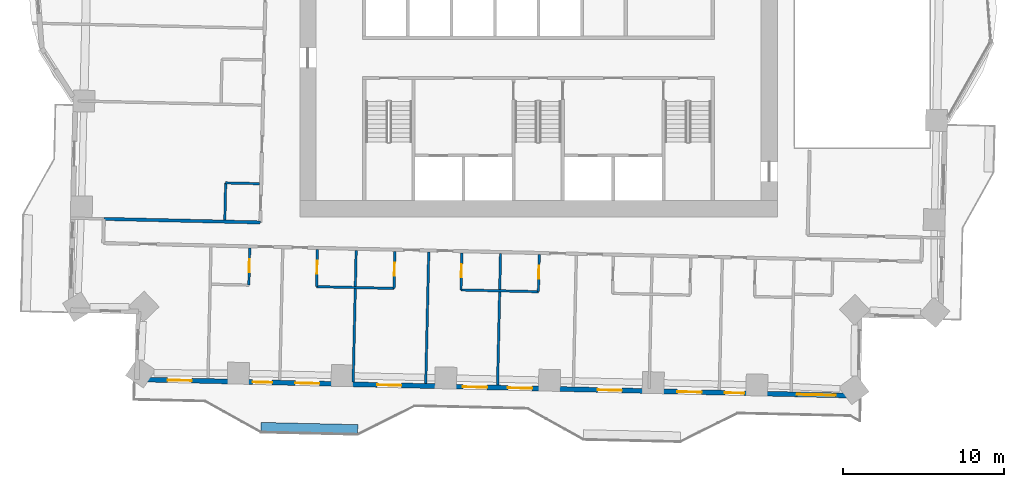
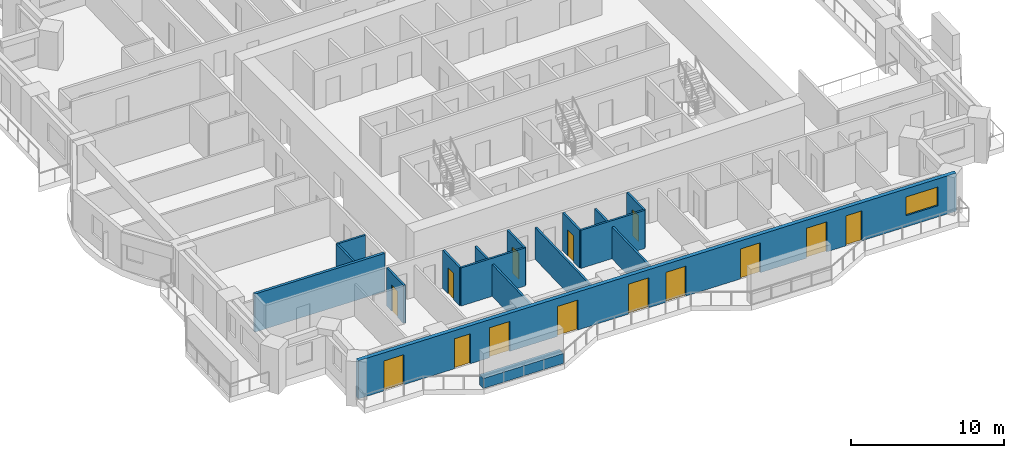
# One storey, part 6 of 16: 15 walls, 14 doors, 1 window, 15 openings.
"""IFC4 building model written with IfcOpenShell, lengths in metres."""

from ifc_helpers import new_model, si_unit, direction, frame, frame_2d, origin, place, context, subcontext, project, spatial, rectangle, extrude, material, layer, layer_set, type_object, element, fill, save


model = new_model("IFC4")

# Units and contexts
model_context = context("Model", 3, precision=1e-05, world=origin(), true_north=direction((0.0, 1.0)))
body_context = subcontext(model_context, "Body", "Model", "MODEL_VIEW")
ifc_project = project(units=[si_unit("LENGTHUNIT", "METRE"), si_unit("AREAUNIT", "SQUARE_METRE"), si_unit("VOLUMEUNIT", "CUBIC_METRE"), si_unit("PLANEANGLEUNIT", "RADIAN"), si_unit("MASSUNIT", "GRAM", prefix="KILO")], contexts=[model_context])

# Site, building, storey
site_placement = place(None, origin())
site = spatial("IfcSite", under=ifc_project, at=site_placement, CompositionType="ELEMENT")
building_placement = place(site_placement, origin())
building = spatial("IfcBuilding", under=site, at=building_placement, Name="Mangrove Gate Tower", CompositionType="ELEMENT")
storey_placement = place(building_placement, frame((0.0, 0.0, 112.699951171875)))
storey = spatial("IfcBuildingStorey", under=building, at=storey_placement, Name="L28", CompositionType="ELEMENT", Elevation=112.699951171875)

# Wall
ifc_material_1 = material(Name="Gypsum board on steel stud, EI 60", Category="steel")
ifc_layer_1 = layer(ifc_material_1, 0.199951171875)
ifc_layer_set_1 = layer_set([ifc_layer_1], Name="Corridor wall EI 60")
wall_type_1 = type_object("IfcWallType", Name="Corridor wall EI 60", PredefinedType="PARTITIONING", material=ifc_layer_set_1)
wall_1_placement = place(storey_placement, frame((-26.944091796875, -11.928955078125, 0.0), z_axis=(0.0, 0.0, 1.0), x_axis=(0.999742757425, -0.022680806356, 0.0)))
element("IfcWall", 1, at=wall_1_placement, inside=storey, type_object=wall_type_1, Name="WALL-L28-029", PredefinedType="PARTITIONING", context=body_context, shape_type="SweptSolid", body=[
    extrude(rectangle(XDim=9.698486328125, YDim=0.199951171875, at=frame_2d((4.84912109375, 0.0))), origin(), (0.0, 0.0, 1.0), 3.050048828125),
])

# Wall, openings, doors, window
ifc_material_2 = material(Name="Limestone", Category="masonry")
ifc_layer_2 = layer(ifc_material_2, 0.0400390625, Name="Limestone cladding")
ifc_material_3 = material(Name="Ventilated air gap")
ifc_layer_3 = layer(ifc_material_3, 0.0400390625, Name="Ventilated cavity")
ifc_material_4 = material(Name="Mineral wool insulation")
ifc_layer_4 = layer(ifc_material_4, 0.06005859375, Name="Insulation")
ifc_material_5 = material(Name="Breather membrane")
ifc_layer_5 = layer(ifc_material_5, 0.001953125, Name="Breather membrane")
ifc_material_6 = material(Name="Concrete C20/25 blockwork", Category="masonry")
ifc_layer_6 = layer(ifc_material_6, 0.14990234375, Name="Blockwork backing wall")
ifc_material_7 = material(Name="Gypsum plaster")
ifc_layer_7 = layer(ifc_material_7, 0.008056640625, Name="Internal plaster")
ifc_layer_set_2 = layer_set([ifc_layer_2, ifc_layer_3, ifc_layer_4, ifc_layer_5, ifc_layer_6, ifc_layer_7], Name="External wall 300 limestone cladding")
wall_type_2 = type_object("IfcWallType", Name="External wall 300 limestone cladding", PredefinedType="SOLIDWALL", material=ifc_layer_set_2)
wall_2_placement = place(storey_placement, frame((-24.89404296875, -21.8779296875, 0.0), z_axis=(0.0, 0.0, 1.0), x_axis=(0.999742689045, -0.022683820265, 0.0)))
wall_2 = element("IfcWall", 2, at=wall_2_placement, inside=storey, type_object=wall_type_2, Name="WALL-L28-S13", PredefinedType="SOLIDWALL", context=body_context, shape_type="SweptSolid", body=[
    extrude(rectangle(XDim=44.70849609375, YDim=0.300048828125, at=frame_2d((22.354248046875, 0.0))), origin(), (0.0, 0.0, 1.0), 3.050048828125),
])
opening_1_placement = place(wall_2_placement, frame((1.902099609375, 0.0, 0.0)))
opening_1 = element("IfcOpeningElement", 3, at=opening_1_placement, cuts=wall_2, Name="Opening BD1", PredefinedType="OPENING", context=body_context, shape_type="SweptSolid", body=[
    extrude(rectangle(XDim=1.5, YDim=2.39990234375, at=frame_2d((0.75, 1.199951171875))), frame((0.0, 0.159912109375, 0.0), z_axis=(0.0, -1.0, 0.0), x_axis=(1.0, 0.0, 0.0)), (0.0, 0.0, 1.0), 0.320068359375),
])
opening_2_placement = place(wall_2_placement, frame((7.177978515625, 0.0, 0.0)))
opening_2 = element("IfcOpeningElement", 4, at=opening_2_placement, cuts=wall_2, Name="Opening BD2", PredefinedType="OPENING", context=body_context, shape_type="SweptSolid", body=[
    extrude(rectangle(XDim=1.199951171875, YDim=2.39990234375, at=frame_2d((0.60009765625, 1.199951171875))), frame((0.0, 0.159912109375, 0.0), z_axis=(0.0, -1.0, 0.0), x_axis=(1.0, 0.0, 0.0)), (0.0, 0.0, 1.0), 0.320068359375),
])
opening_3_placement = place(wall_2_placement, frame((9.81689453125, 0.0, 0.0)))
opening_3 = element("IfcOpeningElement", 5, at=opening_3_placement, cuts=wall_2, Name="Opening BD1", PredefinedType="OPENING", context=body_context, shape_type="SweptSolid", body=[
    extrude(rectangle(XDim=1.5, YDim=2.39990234375, at=frame_2d((0.75, 1.199951171875))), frame((0.0, 0.159912109375, 0.0), z_axis=(0.0, -1.0, 0.0), x_axis=(1.0, 0.0, 0.0)), (0.0, 0.0, 1.0), 0.320068359375),
])
opening_4_placement = place(wall_2_placement, frame((14.89990234375, 0.0, 0.0)))
opening_4 = element("IfcOpeningElement", 6, at=opening_4_placement, cuts=wall_2, Name="Opening BD1", PredefinedType="OPENING", context=body_context, shape_type="SweptSolid", body=[
    extrude(rectangle(XDim=1.5, YDim=2.39990234375, at=frame_2d((0.75, 1.199951171875))), frame((0.0, 0.159912109375, 0.0), z_axis=(0.0, -1.0, 0.0), x_axis=(1.0, 0.0, 0.0)), (0.0, 0.0, 1.0), 0.320068359375),
])
opening_5_placement = place(wall_2_placement, frame((20.20703125, 0.0, 0.0)))
opening_5 = element("IfcOpeningElement", 7, at=opening_5_placement, cuts=wall_2, Name="Opening BD1", PredefinedType="OPENING", context=body_context, shape_type="SweptSolid", body=[
    extrude(rectangle(XDim=1.5, YDim=2.39990234375, at=frame_2d((0.75, 1.199951171875))), frame((0.0, 0.159912109375, 0.0), z_axis=(0.0, -1.0, 0.0), x_axis=(1.0, 0.0, 0.0)), (0.0, 0.0, 1.0), 0.320068359375),
])
opening_6_placement = place(wall_2_placement, frame((22.9970703125, 0.0, 0.0)))
opening_6 = element("IfcOpeningElement", 8, at=opening_6_placement, cuts=wall_2, Name="Opening BD1", PredefinedType="OPENING", context=body_context, shape_type="SweptSolid", body=[
    extrude(rectangle(XDim=1.5, YDim=2.39990234375, at=frame_2d((0.75, 1.199951171875))), frame((0.0, 0.159912109375, 0.0), z_axis=(0.0, -1.0, 0.0), x_axis=(1.0, 0.0, 0.0)), (0.0, 0.0, 1.0), 0.320068359375),
])
opening_7_placement = place(wall_2_placement, frame((28.56201171875, 0.0, 0.0)))
opening_7 = element("IfcOpeningElement", 9, at=opening_7_placement, cuts=wall_2, Name="Opening BD1", PredefinedType="OPENING", context=body_context, shape_type="SweptSolid", body=[
    extrude(rectangle(XDim=1.5, YDim=2.39990234375, at=frame_2d((0.75, 1.199951171875))), frame((0.0, 0.159912109375, 0.0), z_axis=(0.0, -1.0, 0.0), x_axis=(1.0, 0.0, 0.0)), (0.0, 0.0, 1.0), 0.320068359375),
])
opening_8_placement = place(wall_2_placement, frame((33.511962890625, 0.0, 0.0)))
opening_8 = element("IfcOpeningElement", 10, at=opening_8_placement, cuts=wall_2, Name="Opening BD1", PredefinedType="OPENING", context=body_context, shape_type="SweptSolid", body=[
    extrude(rectangle(XDim=1.5, YDim=2.39990234375, at=frame_2d((0.75, 1.199951171875))), frame((0.0, 0.159912109375, 0.0), z_axis=(0.0, -1.0, 0.0), x_axis=(1.0, 0.0, 0.0)), (0.0, 0.0, 1.0), 0.320068359375),
])
opening_9_placement = place(wall_2_placement, frame((36.451904296875, 0.0, 0.0)))
opening_9 = element("IfcOpeningElement", 11, at=opening_9_placement, cuts=wall_2, Name="Opening BD2", PredefinedType="OPENING", context=body_context, shape_type="SweptSolid", body=[
    extrude(rectangle(XDim=1.199951171875, YDim=2.39990234375, at=frame_2d((0.60009765625, 1.199951171875))), frame((0.0, 0.159912109375, 0.0), z_axis=(0.0, -1.0, 0.0), x_axis=(1.0, 0.0, 0.0)), (0.0, 0.0, 1.0), 0.320068359375),
])
opening_10_placement = place(wall_2_placement, frame((40.923095703125, 0.0, 0.89990234375)))
opening_10 = element("IfcOpeningElement", 12, at=opening_10_placement, cuts=wall_2, Name="Opening W2", PredefinedType="OPENING", context=body_context, shape_type="SweptSolid", body=[
    extrude(rectangle(XDim=2.39990234375, YDim=1.5, at=frame_2d((1.199951171875, 0.75))), frame((0.0, 0.159912109375, 0.0), z_axis=(0.0, -1.0, 0.0), x_axis=(1.0, 0.0, 0.0)), (0.0, 0.0, 1.0), 0.320068359375),
])
ifc_material_8 = material(Name="Aluminium frame with laminated clear glass", Category="aluminium")
door_type_1 = type_object("IfcDoorType", Name="Balcony sliding door 1200x2400", OperationType="SLIDING_TO_LEFT", PredefinedType="DOOR", material=ifc_material_8)
door_1_placement = place(opening_2_placement, origin())
door_1 = element("IfcDoor", 13, at=door_1_placement, inside=storey, type_object=door_type_1, Name="DOOR-L28-S13-2", OperationType="SLIDING_TO_LEFT", OverallHeight=2.39990234375, OverallWidth=1.199951171875, PredefinedType="DOOR", context=body_context, shape_type="SweptSolid", body=[
    extrude(rectangle(XDim=1.199951171875, YDim=2.39990234375, at=frame_2d((0.60009765625, 1.199951171875))), frame((0.0, 0.02490234375, 0.0), z_axis=(0.0, -1.0, 0.0), x_axis=(1.0, 0.0, 0.0)), (0.0, 0.0, 1.0), 0.050048828125),
])
fill(opening_2, door_1)
door_2_placement = place(opening_9_placement, origin())
door_2 = element("IfcDoor", 14, at=door_2_placement, inside=storey, type_object=door_type_1, Name="DOOR-L28-S13-9", OperationType="SLIDING_TO_LEFT", OverallHeight=2.39990234375, OverallWidth=1.199951171875, PredefinedType="DOOR", context=body_context, shape_type="SweptSolid", body=[
    extrude(rectangle(XDim=1.199951171875, YDim=2.39990234375, at=frame_2d((0.60009765625, 1.199951171875))), frame((0.0, 0.02490234375, 0.0), z_axis=(0.0, -1.0, 0.0), x_axis=(1.0, 0.0, 0.0)), (0.0, 0.0, 1.0), 0.050048828125),
])
fill(opening_9, door_2)
ifc_material_9 = material(Name="Aluminium frame with laminated clear glass", Category="aluminium")
door_type_2 = type_object("IfcDoorType", Name="Balcony sliding door 1500x2400", OperationType="SLIDING_TO_LEFT", PredefinedType="DOOR", material=ifc_material_9)
door_3_placement = place(opening_1_placement, origin())
door_3 = element("IfcDoor", 15, at=door_3_placement, inside=storey, type_object=door_type_2, Name="DOOR-L28-S13-1", OperationType="SLIDING_TO_LEFT", OverallHeight=2.39990234375, OverallWidth=1.5, PredefinedType="DOOR", context=body_context, shape_type="SweptSolid", body=[
    extrude(rectangle(XDim=1.5, YDim=2.39990234375, at=frame_2d((0.75, 1.199951171875))), frame((0.0, 0.02490234375, 0.0), z_axis=(0.0, -1.0, 0.0), x_axis=(1.0, 0.0, 0.0)), (0.0, 0.0, 1.0), 0.050048828125),
])
fill(opening_1, door_3)
door_4_placement = place(opening_3_placement, origin())
door_4 = element("IfcDoor", 16, at=door_4_placement, inside=storey, type_object=door_type_2, Name="DOOR-L28-S13-3", OperationType="SLIDING_TO_LEFT", OverallHeight=2.39990234375, OverallWidth=1.5, PredefinedType="DOOR", context=body_context, shape_type="SweptSolid", body=[
    extrude(rectangle(XDim=1.5, YDim=2.39990234375, at=frame_2d((0.75, 1.199951171875))), frame((0.0, 0.02490234375, 0.0), z_axis=(0.0, -1.0, 0.0), x_axis=(1.0, 0.0, 0.0)), (0.0, 0.0, 1.0), 0.050048828125),
])
fill(opening_3, door_4)
door_5_placement = place(opening_4_placement, origin())
door_5 = element("IfcDoor", 17, at=door_5_placement, inside=storey, type_object=door_type_2, Name="DOOR-L28-S13-4", OperationType="SLIDING_TO_LEFT", OverallHeight=2.39990234375, OverallWidth=1.5, PredefinedType="DOOR", context=body_context, shape_type="SweptSolid", body=[
    extrude(rectangle(XDim=1.5, YDim=2.39990234375, at=frame_2d((0.75, 1.199951171875))), frame((0.0, 0.02490234375, 0.0), z_axis=(0.0, -1.0, 0.0), x_axis=(1.0, 0.0, 0.0)), (0.0, 0.0, 1.0), 0.050048828125),
])
fill(opening_4, door_5)
door_6_placement = place(opening_5_placement, origin())
door_6 = element("IfcDoor", 18, at=door_6_placement, inside=storey, type_object=door_type_2, Name="DOOR-L28-S13-5", OperationType="SLIDING_TO_LEFT", OverallHeight=2.39990234375, OverallWidth=1.5, PredefinedType="DOOR", context=body_context, shape_type="SweptSolid", body=[
    extrude(rectangle(XDim=1.5, YDim=2.39990234375, at=frame_2d((0.75, 1.199951171875))), frame((0.0, 0.02490234375, 0.0), z_axis=(0.0, -1.0, 0.0), x_axis=(1.0, 0.0, 0.0)), (0.0, 0.0, 1.0), 0.050048828125),
])
fill(opening_5, door_6)
door_7_placement = place(opening_6_placement, origin())
door_7 = element("IfcDoor", 19, at=door_7_placement, inside=storey, type_object=door_type_2, Name="DOOR-L28-S13-6", OperationType="SLIDING_TO_LEFT", OverallHeight=2.39990234375, OverallWidth=1.5, PredefinedType="DOOR", context=body_context, shape_type="SweptSolid", body=[
    extrude(rectangle(XDim=1.5, YDim=2.39990234375, at=frame_2d((0.75, 1.199951171875))), frame((0.0, 0.02490234375, 0.0), z_axis=(0.0, -1.0, 0.0), x_axis=(1.0, 0.0, 0.0)), (0.0, 0.0, 1.0), 0.050048828125),
])
fill(opening_6, door_7)
door_8_placement = place(opening_7_placement, origin())
door_8 = element("IfcDoor", 20, at=door_8_placement, inside=storey, type_object=door_type_2, Name="DOOR-L28-S13-7", OperationType="SLIDING_TO_LEFT", OverallHeight=2.39990234375, OverallWidth=1.5, PredefinedType="DOOR", context=body_context, shape_type="SweptSolid", body=[
    extrude(rectangle(XDim=1.5, YDim=2.39990234375, at=frame_2d((0.75, 1.199951171875))), frame((0.0, 0.02490234375, 0.0), z_axis=(0.0, -1.0, 0.0), x_axis=(1.0, 0.0, 0.0)), (0.0, 0.0, 1.0), 0.050048828125),
])
fill(opening_7, door_8)
door_9_placement = place(opening_8_placement, origin())
door_9 = element("IfcDoor", 21, at=door_9_placement, inside=storey, type_object=door_type_2, Name="DOOR-L28-S13-8", OperationType="SLIDING_TO_LEFT", OverallHeight=2.39990234375, OverallWidth=1.5, PredefinedType="DOOR", context=body_context, shape_type="SweptSolid", body=[
    extrude(rectangle(XDim=1.5, YDim=2.39990234375, at=frame_2d((0.75, 1.199951171875))), frame((0.0, 0.02490234375, 0.0), z_axis=(0.0, -1.0, 0.0), x_axis=(1.0, 0.0, 0.0)), (0.0, 0.0, 1.0), 0.050048828125),
])
fill(opening_8, door_9)
ifc_material_10 = material(Name="Aluminium frame with double-glazed low-e glass", Category="aluminium")
window_type = type_object("IfcWindowType", Name="Corner room window 2400x1500", PartitioningType="DOUBLE_PANEL_VERTICAL", PredefinedType="WINDOW", material=ifc_material_10)
window_placement = place(opening_10_placement, origin())
window = element("IfcWindow", 22, at=window_placement, inside=storey, type_object=window_type, Name="WIN-L28-S13-10", OverallHeight=1.5, OverallWidth=2.39990234375, PartitioningType="DOUBLE_PANEL_VERTICAL", PredefinedType="WINDOW", context=body_context, shape_type="SweptSolid", body=[
    extrude(rectangle(XDim=2.39990234375, YDim=1.5, at=frame_2d((1.199951171875, 0.75))), frame((0.0, 0.030029296875, 0.0), z_axis=(0.0, -1.0, 0.0), x_axis=(1.0, 0.0, 0.0)), (0.0, 0.0, 1.0), 0.06005859375),
])
fill(opening_10, window)

# Walls
ifc_material_11 = material(Name="Gypsum board on steel stud, EI 60", Category="steel")
ifc_layer_8 = layer(ifc_material_11, 0.14990234375)
ifc_layer_set_3 = layer_set([ifc_layer_8], Name="Party wall 150 EI 60")
wall_type_3 = type_object("IfcWallType", Name="Party wall 150 EI 60", PredefinedType="PARTITIONING", material=ifc_layer_set_3)
for number, where, z_axis, x_axis, name in (
    (23, (-11.489990234375, -22.031982421875, 0.0), (0.0, 0.0, 1.0), (0.022706435224, 0.999742175663, 0.0), "WALL-L28-003"),
    (24, (-6.990966796875, -22.134033203125, 0.0), (0.0, 0.0, 1.0), (0.022706435224, 0.999742175663, 0.0), "WALL-L28-004"),
):
    element("IfcWall", number, at=place(storey_placement, frame(where, z_axis=z_axis, x_axis=x_axis)), inside=storey, type_object=wall_type_3, Name=name, PredefinedType="PARTITIONING", context=body_context, shape_type="SweptSolid", body=[
        extrude(rectangle(XDim=8.150146484375, YDim=0.14990234375, at=frame_2d((4.0751953125, 0.0))), origin(), (0.0, 0.0, 1.0), 2.550048828125),
    ])
wall_3_placement = place(storey_placement, frame((-2.5419921875, -22.235107421875, 0.0), z_axis=(0.0, 0.0, 1.0), x_axis=(0.022705755232, 0.999742191107, 0.0)))
element("IfcWall", 25, at=wall_3_placement, inside=storey, type_object=wall_type_3, Name="WALL-L28-005", PredefinedType="PARTITIONING", context=body_context, shape_type="SweptSolid", body=[
    extrude(rectangle(XDim=8.150390625, YDim=0.14990234375, at=frame_2d((4.0751953125, 0.0))), origin(), (0.0, 0.0, 1.0), 2.550048828125),
])

# Wall, opening, door
wall_4_placement = place(storey_placement, frame((-17.955078125, -16.032958984375, 0.0), z_axis=(0.0, 0.0, 1.0), x_axis=(0.022612884682, 0.999744296031, 0.0)))
wall_4 = element("IfcWall", 26, at=wall_4_placement, inside=storey, type_object=wall_type_3, Name="WALL-L28-011", PredefinedType="PARTITIONING", context=body_context, shape_type="SweptSolid", body=[
    extrude(rectangle(XDim=2.299560546875, YDim=0.14990234375, at=frame_2d((1.14990234375, 0.0))), origin(), (0.0, 0.0, 1.0), 3.050048828125),
])
opening_11_placement = place(wall_4_placement, frame((0.800048828125, 0.0, 0.0)))
opening_11 = element("IfcOpeningElement", 27, at=opening_11_placement, cuts=wall_4, Name="Opening ED", PredefinedType="OPENING", context=body_context, shape_type="SweptSolid", body=[
    extrude(rectangle(XDim=0.800048828125, YDim=2.10009765625, at=frame_2d((0.39990234375, 1.050048828125))), frame((0.0, 0.0849609375, 0.0), z_axis=(0.0, -1.0, 0.0), x_axis=(1.0, 0.0, 0.0)), (0.0, 0.0, 1.0), 0.169921875),
])
ifc_material_12 = material(Name="Timber door leaf", Category="wood")
door_type_3 = type_object("IfcDoorType", Name="En-suite door 800", OperationType="SINGLE_SWING_LEFT", PredefinedType="DOOR", material=ifc_material_12)
door_10_placement = place(opening_11_placement, origin())
door_10 = element("IfcDoor", 28, at=door_10_placement, inside=storey, type_object=door_type_3, Name="DOOR-L28-ENS-c101", OperationType="SINGLE_SWING_LEFT", OverallHeight=2.10009765625, OverallWidth=0.800048828125, PredefinedType="DOOR", context=body_context, shape_type="SweptSolid", body=[
    extrude(rectangle(XDim=0.800048828125, YDim=2.10009765625, at=frame_2d((0.39990234375, 1.050048828125))), frame((0.0, 0.02490234375, 0.0), z_axis=(0.0, -1.0, 0.0), x_axis=(1.0, 0.0, 0.0)), (0.0, 0.0, 1.0), 0.050048828125),
])
fill(opening_11, door_10)

# Wall
wall_5_placement = place(storey_placement, frame((-13.760009765625, -16.12890625, 0.0), z_axis=(0.0, 0.0, 1.0), x_axis=(0.999741441463, -0.022738738327, 0.0)))
element("IfcWall", 29, at=wall_5_placement, inside=storey, type_object=wall_type_3, Name="WALL-L28-012", PredefinedType="PARTITIONING", context=body_context, shape_type="SweptSolid", body=[
    extrude(rectangle(XDim=4.79931640625, YDim=0.14990234375, at=frame_2d((2.399658203125, 0.0))), origin(), (0.0, 0.0, 1.0), 3.050048828125),
])

# Wall, opening, door
wall_6_placement = place(storey_placement, frame((-13.756103515625, -16.12890625, 0.0), z_axis=(0.0, 0.0, 1.0), x_axis=(0.022605686808, 0.999744458811, 0.0)))
wall_6 = element("IfcWall", 30, at=wall_6_placement, inside=storey, type_object=wall_type_3, Name="WALL-L28-013", PredefinedType="PARTITIONING", context=body_context, shape_type="SweptSolid", body=[
    extrude(rectangle(XDim=2.30029296875, YDim=0.14990234375, at=frame_2d((1.150146484375, 0.0))), origin(), (0.0, 0.0, 1.0), 3.050048828125),
])
opening_12_placement = place(wall_6_placement, frame((0.800048828125, 0.0, 0.0)))
opening_12 = element("IfcOpeningElement", 31, at=opening_12_placement, cuts=wall_6, Name="Opening ED", PredefinedType="OPENING", context=body_context, shape_type="SweptSolid", body=[
    extrude(rectangle(XDim=0.800048828125, YDim=2.10009765625, at=frame_2d((0.39990234375, 1.050048828125))), frame((0.0, 0.0849609375, 0.0), z_axis=(0.0, -1.0, 0.0), x_axis=(1.0, 0.0, 0.0)), (0.0, 0.0, 1.0), 0.169921875),
])
door_11_placement = place(opening_12_placement, origin())
door_11 = element("IfcDoor", 32, at=door_11_placement, inside=storey, type_object=door_type_3, Name="DOOR-L28-ENS-c102", OperationType="SINGLE_SWING_RIGHT", OverallHeight=2.10009765625, OverallWidth=0.800048828125, PredefinedType="DOOR", context=body_context, shape_type="SweptSolid", body=[
    extrude(rectangle(XDim=0.800048828125, YDim=2.10009765625, at=frame_2d((0.39990234375, 1.050048828125))), frame((0.0, 0.02490234375, 0.0), z_axis=(0.0, -1.0, 0.0), x_axis=(1.0, 0.0, 0.0)), (0.0, 0.0, 1.0), 0.050048828125),
])
fill(opening_12, door_11)

wall_7_placement = place(storey_placement, frame((-8.9580078125, -16.238037109375, 0.0), z_axis=(0.0, 0.0, 1.0), x_axis=(0.022603288534, 0.999744513037, 0.0)))
wall_7 = element("IfcWall", 33, at=wall_7_placement, inside=storey, type_object=wall_type_3, Name="WALL-L28-014", PredefinedType="PARTITIONING", context=body_context, shape_type="SweptSolid", body=[
    extrude(rectangle(XDim=2.300537109375, YDim=0.14990234375, at=frame_2d((1.150390625, 0.0))), origin(), (0.0, 0.0, 1.0), 3.050048828125),
])
opening_13_placement = place(wall_7_placement, frame((0.800048828125, 0.0, 0.0)))
opening_13 = element("IfcOpeningElement", 34, at=opening_13_placement, cuts=wall_7, Name="Opening ED", PredefinedType="OPENING", context=body_context, shape_type="SweptSolid", body=[
    extrude(rectangle(XDim=0.800048828125, YDim=2.10009765625, at=frame_2d((0.39990234375, 1.050048828125))), frame((0.0, 0.0849609375, 0.0), z_axis=(0.0, -1.0, 0.0), x_axis=(1.0, 0.0, 0.0)), (0.0, 0.0, 1.0), 0.169921875),
])
door_12_placement = place(opening_13_placement, origin())
door_12 = element("IfcDoor", 35, at=door_12_placement, inside=storey, type_object=door_type_3, Name="DOOR-L28-ENS-c103", OperationType="SINGLE_SWING_LEFT", OverallHeight=2.10009765625, OverallWidth=0.800048828125, PredefinedType="DOOR", context=body_context, shape_type="SweptSolid", body=[
    extrude(rectangle(XDim=0.800048828125, YDim=2.10009765625, at=frame_2d((0.39990234375, 1.050048828125))), frame((0.0, 0.02490234375, 0.0), z_axis=(0.0, -1.0, 0.0), x_axis=(1.0, 0.0, 0.0)), (0.0, 0.0, 1.0), 0.050048828125),
])
fill(opening_13, door_12)

# Wall
wall_8_placement = place(storey_placement, frame((-4.81298828125, -16.33203125, 0.0), z_axis=(0.0, 0.0, 1.0), x_axis=(0.999742701292, -0.022683280499, 0.0)))
element("IfcWall", 36, at=wall_8_placement, inside=storey, type_object=wall_type_3, Name="WALL-L28-015", PredefinedType="PARTITIONING", context=body_context, shape_type="SweptSolid", body=[
    extrude(rectangle(XDim=4.80029296875, YDim=0.14990234375, at=frame_2d((2.400146484375, 0.0))), origin(), (0.0, 0.0, 1.0), 3.050048828125),
])

# Wall, opening, door
wall_9_placement = place(storey_placement, frame((-4.80908203125, -16.33203125, 0.0), z_axis=(0.0, 0.0, 1.0), x_axis=(0.022603288534, 0.999744513037, 0.0)))
wall_9 = element("IfcWall", 37, at=wall_9_placement, inside=storey, type_object=wall_type_3, Name="WALL-L28-016", PredefinedType="PARTITIONING", context=body_context, shape_type="SweptSolid", body=[
    extrude(rectangle(XDim=2.300537109375, YDim=0.14990234375, at=frame_2d((1.150390625, 0.0))), origin(), (0.0, 0.0, 1.0), 3.050048828125),
])
opening_14_placement = place(wall_9_placement, frame((0.800048828125, 0.0, 0.0)))
opening_14 = element("IfcOpeningElement", 38, at=opening_14_placement, cuts=wall_9, Name="Opening ED", PredefinedType="OPENING", context=body_context, shape_type="SweptSolid", body=[
    extrude(rectangle(XDim=0.800048828125, YDim=2.10009765625, at=frame_2d((0.39990234375, 1.050048828125))), frame((0.0, 0.0849609375, 0.0), z_axis=(0.0, -1.0, 0.0), x_axis=(1.0, 0.0, 0.0)), (0.0, 0.0, 1.0), 0.169921875),
])
door_13_placement = place(opening_14_placement, origin())
door_13 = element("IfcDoor", 39, at=door_13_placement, inside=storey, type_object=door_type_3, Name="DOOR-L28-ENS-c204", OperationType="SINGLE_SWING_RIGHT", OverallHeight=2.10009765625, OverallWidth=0.800048828125, PredefinedType="DOOR", context=body_context, shape_type="SweptSolid", body=[
    extrude(rectangle(XDim=0.800048828125, YDim=2.10009765625, at=frame_2d((0.39990234375, 1.050048828125))), frame((0.0, 0.02490234375, 0.0), z_axis=(0.0, -1.0, 0.0), x_axis=(1.0, 0.0, 0.0)), (0.0, 0.0, 1.0), 0.050048828125),
])
fill(opening_14, door_13)

wall_10_placement = place(storey_placement, frame((-0.010009765625, -16.44091796875, 0.0), z_axis=(0.0, 0.0, 1.0), x_axis=(0.022605686808, 0.999744458811, 0.0)))
wall_10 = element("IfcWall", 40, at=wall_10_placement, inside=storey, type_object=wall_type_3, Name="WALL-L28-017", PredefinedType="PARTITIONING", context=body_context, shape_type="SweptSolid", body=[
    extrude(rectangle(XDim=2.30029296875, YDim=0.14990234375, at=frame_2d((1.150146484375, 0.0))), origin(), (0.0, 0.0, 1.0), 3.050048828125),
])
opening_15_placement = place(wall_10_placement, frame((0.800048828125, 0.0, 0.0)))
opening_15 = element("IfcOpeningElement", 41, at=opening_15_placement, cuts=wall_10, Name="Opening ED", PredefinedType="OPENING", context=body_context, shape_type="SweptSolid", body=[
    extrude(rectangle(XDim=0.800048828125, YDim=2.10009765625, at=frame_2d((0.39990234375, 1.050048828125))), frame((0.0, 0.0849609375, 0.0), z_axis=(0.0, -1.0, 0.0), x_axis=(1.0, 0.0, 0.0)), (0.0, 0.0, 1.0), 0.169921875),
])
door_14_placement = place(opening_15_placement, origin())
door_14 = element("IfcDoor", 42, at=door_14_placement, inside=storey, type_object=door_type_3, Name="DOOR-L28-ENS-c205", OperationType="SINGLE_SWING_LEFT", OverallHeight=2.10009765625, OverallWidth=0.800048828125, PredefinedType="DOOR", context=body_context, shape_type="SweptSolid", body=[
    extrude(rectangle(XDim=0.800048828125, YDim=2.10009765625, at=frame_2d((0.39990234375, 1.050048828125))), frame((0.0, 0.02490234375, 0.0), z_axis=(0.0, -1.0, 0.0), x_axis=(1.0, 0.0, 0.0)), (0.0, 0.0, 1.0), 0.050048828125),
])
fill(opening_15, door_14)

# Walls
wall_11_placement = place(storey_placement, frame((-19.444091796875, -11.9990234375, 0.0), z_axis=(0.0, 0.0, 1.0), x_axis=(0.022603288534, 0.999744513037, 0.0)))
element("IfcWall", 43, at=wall_11_placement, inside=storey, type_object=wall_type_3, Name="WALL-L28-030", PredefinedType="PARTITIONING", context=body_context, shape_type="SweptSolid", body=[
    extrude(rectangle(XDim=2.300537109375, YDim=0.14990234375, at=frame_2d((1.150390625, 0.0))), origin(), (0.0, 0.0, 1.0), 3.050048828125),
])
wall_12_placement = place(storey_placement, frame((-19.39306640625, -9.698974609375, 0.0), z_axis=(0.0, 0.0, 1.0), x_axis=(0.999737616439, -0.022906293375, 0.0)))
element("IfcWall", 44, at=wall_12_placement, inside=storey, type_object=wall_type_3, Name="WALL-L28-035", PredefinedType="PARTITIONING", context=body_context, shape_type="SweptSolid", body=[
    extrude(rectangle(XDim=2.099609375, YDim=0.14990234375, at=frame_2d((1.0498046875, 0.0))), origin(), (0.0, 0.0, 1.0), 3.050048828125),
])
ifc_material_13 = material(Name="Concrete C32/40", Category="concrete")
ifc_layer_9 = layer(ifc_material_13, 0.199951171875, Name="Planter trough wall")
ifc_material_14 = material(Name="Bituminous waterproofing membrane")
ifc_layer_10 = layer(ifc_material_14, 0.0048828125, Name="Waterproofing")
ifc_material_15 = material(Name="Drainage board and gravel")
ifc_layer_11 = layer(ifc_material_15, 0.044921875, Name="Drainage layer")
ifc_material_16 = material(Name="Planting soil")
ifc_layer_12 = layer(ifc_material_16, 0.300048828125, Name="Growing medium")
ifc_layer_set_4 = layer_set([ifc_layer_9, ifc_layer_10, ifc_layer_11, ifc_layer_12], Name="Planter wall 550 C32/40")
wall_type_4 = type_object("IfcWallType", Name="Planter wall 550 C32/40", PredefinedType="USERDEFINED", material=ifc_layer_set_4)
wall_13_placement = place(storey_placement, frame((-17.205078125, -24.818115234375, 0.0), z_axis=(0.0, 0.0, 1.0), x_axis=(0.999743178102, -0.022662255828, 0.0)))
element("IfcWall", 45, at=wall_13_placement, inside=storey, type_object=wall_type_4, Name="PLANTER L28 S0.1", ObjectType="PLANTER", PredefinedType="USERDEFINED", context=body_context, shape_type="SweptSolid", body=[
    extrude(rectangle(XDim=6.00048828125, YDim=0.550048828125, at=frame_2d((3.000244140625, 0.0))), origin(), (0.0, 0.0, 1.0), 0.800048828125),
])

save(model, "model.ifc")
